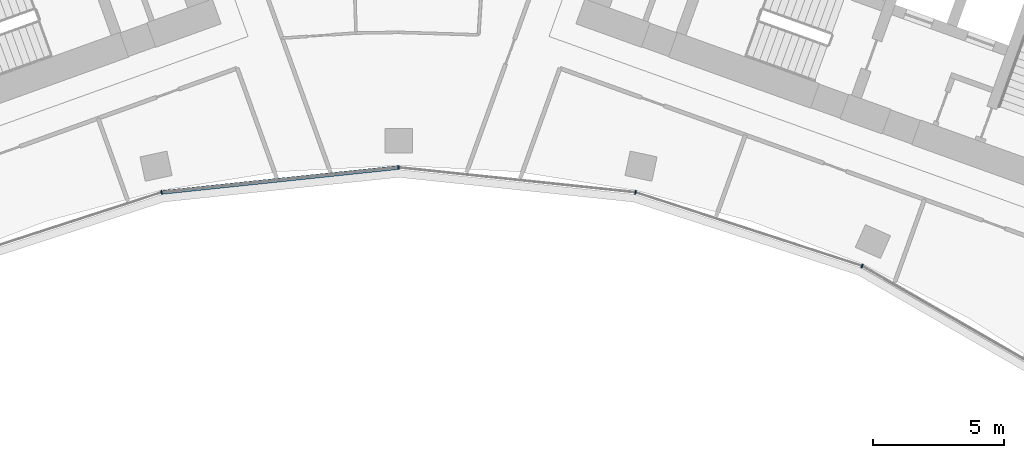
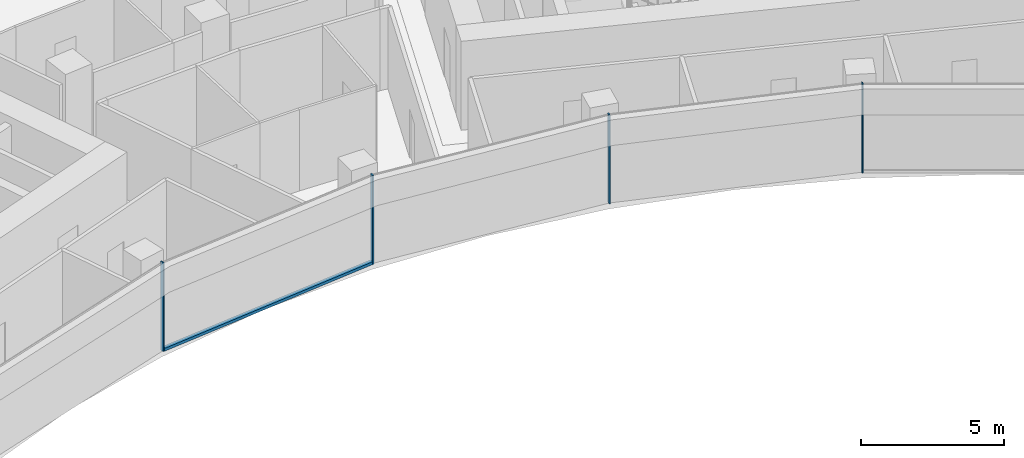
# One storey, part 4 of 19: 5 members, 1 element without a shape of its own.
"""IFC4 building model written with IfcOpenShell, lengths in metres."""

from ifc_helpers import new_model, si_unit, direction, frame, origin, origin_2d, place, context, subcontext, project, spatial, rectangle, extrude, material, layer, layer_set, material_profile, profile_set, type_object, element, aggregate, save


model = new_model("IFC4")

# Units and contexts
model_context = context("Model", 3, precision=1e-05, world=origin(), true_north=direction((0.0, 1.0)))
body_context = subcontext(model_context, "Body", "Model", "MODEL_VIEW")
ifc_project = project(units=[si_unit("LENGTHUNIT", "METRE"), si_unit("AREAUNIT", "SQUARE_METRE"), si_unit("VOLUMEUNIT", "CUBIC_METRE"), si_unit("PLANEANGLEUNIT", "RADIAN"), si_unit("MASSUNIT", "GRAM", prefix="KILO")], contexts=[model_context])

# Site, building, storey
site_placement = place(None, origin())
site = spatial("IfcSite", under=ifc_project, at=site_placement, CompositionType="ELEMENT")
building_placement = place(site_placement, origin())
building = spatial("IfcBuilding", under=site, at=building_placement, Name="Stone Belt Terrace Tower", CompositionType="ELEMENT")
storey_placement = place(building_placement, frame((0.0, 0.0, 204.800048828125)))
storey = spatial("IfcBuildingStorey", under=building, at=storey_placement, Name="L49", CompositionType="ELEMENT", Elevation=204.800048828125)

# Curtain wall, members
ifc_material = material(Name="Aluminium 6063-T6 anodised frame", Category="aluminium")
ifc_layer = layer(ifc_material, 0.14990234375)
ifc_layer_set = layer_set([ifc_layer], Name="CW-B unitised concave-face curtain wall")
curtain_wall_type = type_object("IfcCurtainWallType", Name="CW-B unitised concave-face curtain wall", PredefinedType="NOTDEFINED", material=ifc_layer_set)
curtain_wall_placement = place(storey_placement, origin())
curtain_wall = element("IfcCurtainWall", 1, at=curtain_wall_placement, inside=storey, type_object=curtain_wall_type, Name="CW-B concave face L49", PredefinedType="NOTDEFINED")
ifc_material_profile_1 = material_profile(ifc_material, rectangle(XDim=0.14990234375, YDim=0.050048828125, at=origin_2d()), Name="Aluminium 6063-T6 50x150")
ifc_profile_set_1 = profile_set([ifc_material_profile_1], Name="Aluminium 6063-T6 anodised frame")
member_type_1 = type_object("IfcMemberType", Name="CW-B mullion 50 x 150", PredefinedType="MULLION", material=ifc_profile_set_1)
member_1_placement = place(storey_placement, frame((-9.028564453125, 42.4755859375, 0.0), z_axis=(0.0, 0.0, 1.0), x_axis=(-0.207911690818, 0.978147600734, 0.0)))
member_1 = element("IfcMember", 2, at=member_1_placement, type_object=member_type_1, Name="CW-B mullion 4", PredefinedType="MULLION", context=body_context, shape_type="SweptSolid", body=[
    extrude(rectangle(XDim=0.14990234375, YDim=0.050048828125, at=origin_2d()), origin(), (0.0, 0.0, 1.0), 3.800048828125),
])
member_2_placement = place(storey_placement, frame((0.0, 43.424560546875, 0.0), z_axis=(0.0, 0.0, 1.0), x_axis=(0.0, 1.0, 0.0)))
member_2 = element("IfcMember", 3, at=member_2_placement, type_object=member_type_1, Name="CW-B mullion 5", PredefinedType="MULLION", context=body_context, shape_type="SweptSolid", body=[
    extrude(rectangle(XDim=0.14990234375, YDim=0.050048828125, at=origin_2d()), origin(), (0.0, 0.0, 1.0), 3.800048828125),
])
member_3_placement = place(storey_placement, frame((9.028564453125, 42.4755859375, 0.0), z_axis=(0.0, 0.0, 1.0), x_axis=(0.207911690818, 0.978147600734, 0.0)))
member_3 = element("IfcMember", 4, at=member_3_placement, type_object=member_type_1, Name="CW-B mullion 6", PredefinedType="MULLION", context=body_context, shape_type="SweptSolid", body=[
    extrude(rectangle(XDim=0.14990234375, YDim=0.050048828125, at=origin_2d()), origin(), (0.0, 0.0, 1.0), 3.800048828125),
])
member_4_placement = place(storey_placement, frame((17.662353515625, 39.67041015625, 0.0), z_axis=(0.0, 0.0, 1.0), x_axis=(0.406736643076, 0.913545457643, 0.0)))
member_4 = element("IfcMember", 5, at=member_4_placement, type_object=member_type_1, Name="CW-B mullion 7", PredefinedType="MULLION", context=body_context, shape_type="SweptSolid", body=[
    extrude(rectangle(XDim=0.14990234375, YDim=0.050048828125, at=origin_2d()), origin(), (0.0, 0.0, 1.0), 3.800048828125),
])
ifc_material_profile_2 = material_profile(ifc_material, rectangle(XDim=0.14990234375, YDim=0.1201171875, at=origin_2d()), Name="Aluminium 6063-T6 150x120")
ifc_profile_set_2 = profile_set([ifc_material_profile_2], Name="Aluminium 6063-T6 anodised frame")
member_type_2 = type_object("IfcMemberType", Name="CW-B transom 120 x 150", PredefinedType="USERDEFINED", material=ifc_profile_set_2)
member_5_placement = place(storey_placement, frame((-8.995849609375, 42.47900390625, 0.06005859375), z_axis=(0.994521323407, 0.104533904969, 0.0), x_axis=(-0.104533904969, 0.994521323407, 0.0)))
member_5 = element("IfcMember", 6, at=member_5_placement, type_object=member_type_2, Name="CW-B transom 4.1", ObjectType="TRANSOM", PredefinedType="USERDEFINED", context=body_context, shape_type="SweptSolid", body=[
    extrude(rectangle(XDim=0.14990234375, YDim=0.1201171875, at=origin_2d()), origin(), (0.0, 0.0, 1.0), 9.0126953125),
])
aggregate(curtain_wall, [member_1, member_2, member_3, member_4, member_5])

save(model, "model.ifc")
